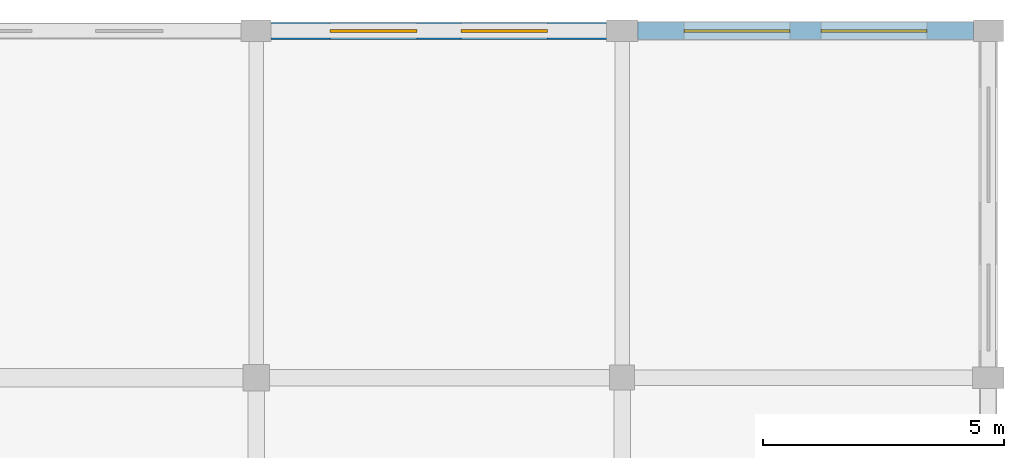
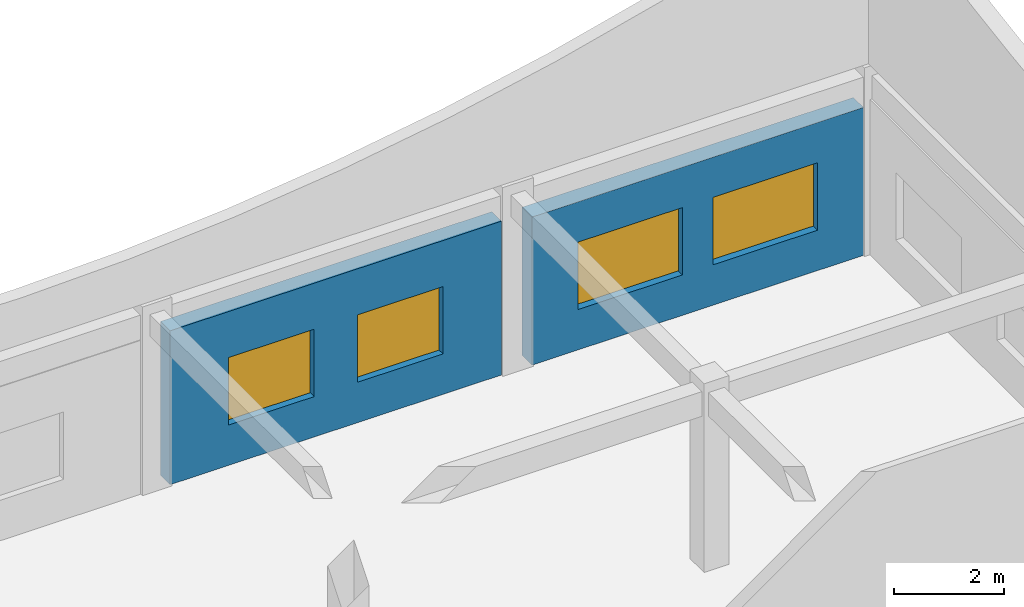
# One storey, part 9 of 10: 4 windows, 2 walls, 4 openings.
"""IFC4 building model written with IfcOpenShell, lengths in metres."""

import ifcopenshell
import ifcopenshell.guid

model = None  # the IFC model being written
_history = None  # IfcOwnerHistory: only IFC2X3 demands one
_inside = {}  # id of a spatial element -> (the spatial element, [elements in it])
_under = {}  # id of a project, library or spatial element -> (it, [spatial elements below it])
_declared = {}  # id of a project -> (the project, [libraries it declares])
_typed = {}  # id of a type object -> (the type object, [elements of that type])
_made_of = {}  # id of a material, layer set ... -> (it, [elements and type objects made of it])


def new_model(schema):
    """Start an empty IFC model of exactly this schema.

    Asked for "IFC4X3", IfcOpenShell would pick the latest addendum, in which some entities
    have other attributes; the version numbers below select the first issue.
    IFC2X3 requires an IfcOwnerHistory on every rooted entity: one is made here for all.
    """
    global model, _history
    if schema == "IFC4X3":
        model = ifcopenshell.file(schema_version=(4, 3, 0, 0))
    else:
        model = ifcopenshell.file(schema=schema)
    _inside.clear()
    _under.clear()
    _declared.clear()
    _typed.clear()
    _made_of.clear()
    _history = None
    if model.schema == "IFC2X3":
        org = make("IfcOrganization", Name="unknown")
        user = make(
            "IfcPersonAndOrganization",
            ThePerson=make("IfcPerson", FamilyName="unknown"),
            TheOrganization=org,
        )
        app = make(
            "IfcApplication",
            ApplicationDeveloper=org,
            Version="unknown",
            ApplicationFullName="unknown",
            ApplicationIdentifier="unknown",
        )
        _history = make(
            "IfcOwnerHistory",
            OwningUser=user,
            OwningApplication=app,
            ChangeAction="ADDED",
            CreationDate=0,
        )
    return model


def make(cls, **values):
    """One entity of the class cls with the attributes given. An attribute that is None is left unset."""
    return model.create_entity(
        cls, **{name: value for name, value in values.items() if value is not None}
    )


def rooted(cls, **values):
    """An entity with a GlobalId (a new one), such as an element, a storey or a relation."""
    return make(cls, GlobalId=ifcopenshell.guid.new(), OwnerHistory=_history, **values)


def si_unit(unit_type, name, prefix=None):
    """IfcSIUnit, for example si_unit("LENGTHUNIT", "METRE", prefix="MILLI")."""
    return make("IfcSIUnit", UnitType=unit_type, Prefix=prefix, Name=name)


def assignment(units):
    """IfcUnitAssignment: the units of a project."""
    return None if units is None else make("IfcUnitAssignment", Units=units)


def point(xyz):
    """IfcCartesianPoint."""
    return None if xyz is None else make("IfcCartesianPoint", Coordinates=xyz)


def direction(xyz):
    """IfcDirection."""
    return None if xyz is None else make("IfcDirection", DirectionRatios=xyz)


def frame(location, z_axis=None, x_axis=None):
    """IfcAxis2Placement3D, a coordinate frame: its origin and axes. An axis left out is left unset."""
    return make(
        "IfcAxis2Placement3D",
        Location=point(location),
        Axis=direction(z_axis),
        RefDirection=direction(x_axis),
    )


def frame_2d(location, x_axis=None):
    """IfcAxis2Placement2D, a coordinate frame in the plane: its origin and x axis."""
    return make(
        "IfcAxis2Placement2D", Location=point(location), RefDirection=direction(x_axis)
    )


def origin():
    """The frame at (0, 0, 0) with its axes left unset."""
    return frame((0.0, 0.0, 0.0))


def place(relative_to, where):
    """IfcLocalPlacement: puts the frame where relative to a parent placement (None: the world)."""
    return make(
        "IfcLocalPlacement", PlacementRelTo=relative_to, RelativePlacement=where
    )


def context(
    kind, dimensions, precision=None, world=None, true_north=None, identifier=None
):
    """IfcGeometricRepresentationContext, for example the 3D "Model" context."""
    return make(
        "IfcGeometricRepresentationContext",
        ContextIdentifier=identifier,
        ContextType=kind,
        CoordinateSpaceDimension=dimensions,
        Precision=precision,
        WorldCoordinateSystem=world,
        TrueNorth=true_north,
    )


def subcontext(parent, identifier, kind, view, scale=None):
    """IfcGeometricRepresentationSubContext, for example "Body" below "Model"."""
    return make(
        "IfcGeometricRepresentationSubContext",
        ContextIdentifier=identifier,
        ContextType=kind,
        ParentContext=parent,
        TargetScale=scale,
        TargetView=view,
    )


def project(units=None, contexts=None):
    """IfcProject with its units and contexts."""
    return rooted(
        "IfcProject",
        Name="project",
        RepresentationContexts=contexts,
        UnitsInContext=assignment(units),
    )


def spatial(cls, under=None, at=None, **own):
    """A site, building, storey or space (cls), placed at a placement, below another one or the project."""
    s = rooted(cls, ObjectPlacement=at, **own)
    if under is not None:
        _under.setdefault(under.id(), (under, []))[1].append(s)
    return s


def profile(cls, at=None, kind="AREA", **sizes):
    """A parametric profile (cls). Its sizes go by their IFC names, for example OverallWidth=200.0."""
    return make(cls, ProfileType=kind, Position=at, **sizes)


def rectangle(**sizes):
    """IfcRectangleProfileDef."""
    return profile("IfcRectangleProfileDef", **sizes)


def extrude(swept, where, along, depth):
    """IfcExtrudedAreaSolid: the profile swept, set in the frame where, extruded along a direction by depth."""
    return make(
        "IfcExtrudedAreaSolid",
        SweptArea=swept,
        Position=where,
        ExtrudedDirection=direction(along),
        Depth=depth,
    )


def shape(context_of_items, identifier, shape_type, items):
    """IfcShapeRepresentation: the items that make up one representation, for example the "Body"."""
    return make(
        "IfcShapeRepresentation",
        ContextOfItems=context_of_items,
        RepresentationIdentifier=identifier,
        RepresentationType=shape_type,
        Items=items,
    )


def material(Name=None, Category=None):
    """IfcMaterial."""
    return make("IfcMaterial", Name=Name, Category=Category)


def layer(
    of_material, thickness, ventilated=None, Name=None, Category=None, Priority=None
):
    """IfcMaterialLayer: one layer of a wall or slab, of a material (None: an air gap)."""
    return make(
        "IfcMaterialLayer",
        Material=of_material,
        LayerThickness=thickness,
        IsVentilated=ventilated,
        Name=Name,
        Category=Category,
        Priority=Priority,
    )


def layer_set(layers, Name=None):
    """IfcMaterialLayerSet."""
    return make("IfcMaterialLayerSet", MaterialLayers=layers, LayerSetName=Name)


def made_of(thing, what):
    """Note that an element or type object is made of a material, layer set ...; save() writes the relation."""
    if what is not None:
        _made_of.setdefault(what.id(), (what, []))[1].append(thing)
    return thing


def type_object(cls, material=None, **own):
    """A type object (cls), such as IfcWallType, which elements share."""
    return made_of(rooted(cls, **own), material)


def element(
    cls,
    number,
    at=None,
    inside=None,
    cuts=None,
    type_object=None,
    material=None,
    context=None,
    identifier="Body",
    shape_type=None,
    held_by="IfcProductDefinitionShape",
    body=None,
    shapes=None,
    **own,
):
    """One element of the class cls, such as IfcWall. Its Tag is "e" and its number.

    at: its placement. inside: the storey or other place that contains it. cuts: it is an
    opening in that element (IfcRelVoidsElement). A single representation is given by context,
    identifier, shape_type and body (its items); several are given by shapes. held_by: the class
    of the entity that holds the representations. save() writes the other relations.
    """
    e = rooted(cls, Tag="e%d" % number, ObjectPlacement=at, **own)
    if body is not None:
        shapes = [shape(context, identifier, shape_type, body)]
    if shapes is not None:
        e.Representation = make(held_by, Representations=shapes)
    if inside is not None:
        _inside.setdefault(inside.id(), (inside, []))[1].append(e)
    if cuts is not None:
        rooted(
            "IfcRelVoidsElement", RelatingBuildingElement=cuts, RelatedOpeningElement=e
        )
    if type_object is not None:
        _typed.setdefault(type_object.id(), (type_object, []))[1].append(e)
    return made_of(e, material)


def fill(opening, filler):
    """IfcRelFillsElement: the door or window that sits in an opening."""
    return rooted(
        "IfcRelFillsElement",
        RelatingOpeningElement=opening,
        RelatedBuildingElement=filler,
    )


def aggregate(whole, parts):
    """IfcRelAggregates: a whole, such as a stair, and the parts it consists of."""
    return rooted("IfcRelAggregates", RelatingObject=whole, RelatedObjects=parts)


def save(model, path):
    """Write the relations noted so far, then the file.

    IfcRelAggregates (storeys below a building ...), IfcRelContainedInSpatialStructure (elements
    in a storey), IfcRelDefinesByType, IfcRelAssociatesMaterial and IfcRelDeclares: one each for
    every whole, place, type object, material and project.
    """
    for whole, parts in _under.values():
        aggregate(whole, parts)
    for where, things in _inside.values():
        rooted(
            "IfcRelContainedInSpatialStructure",
            RelatedElements=things,
            RelatingStructure=where,
        )
    for kind, things in _typed.values():
        rooted("IfcRelDefinesByType", RelatedObjects=things, RelatingType=kind)
    for what, things in _made_of.values():
        rooted("IfcRelAssociatesMaterial", RelatedObjects=things, RelatingMaterial=what)
    for by, libraries in _declared.values():
        rooted("IfcRelDeclares", RelatingContext=by, RelatedDefinitions=libraries)
    model.write(path)


model = new_model("IFC4")

# Units and contexts
model_context = context("Model", 3, precision=1e-05, world=origin(), true_north=direction((0.0, 1.0)))
body_context = subcontext(model_context, "Body", "Model", "MODEL_VIEW")
ifc_project = project(units=[si_unit("LENGTHUNIT", "METRE"), si_unit("AREAUNIT", "SQUARE_METRE"), si_unit("VOLUMEUNIT", "CUBIC_METRE"), si_unit("PLANEANGLEUNIT", "RADIAN"), si_unit("MASSUNIT", "GRAM", prefix="KILO")], contexts=[model_context])

# Site, building, storey
site_placement = place(None, origin())
site = spatial("IfcSite", under=ifc_project, at=site_placement, CompositionType="ELEMENT")
building_placement = place(site_placement, origin())
building = spatial("IfcBuilding", under=site, at=building_placement, Name="Kharva Crest Polytechnic", CompositionType="ELEMENT")
storey_placement = place(building_placement, frame((0.0, 0.0, 25.800048828125)))
storey = spatial("IfcBuildingStorey", under=building, at=storey_placement, Name="L06", CompositionType="ELEMENT", Elevation=25.800048828125)

# Wall, openings, windows
ifc_material_1 = material(Name="Kiln brick masonry", Category="masonry")
ifc_layer_1 = layer(ifc_material_1, 0.35009765625, Name="Kiln brick masonry")
ifc_layer_set_1 = layer_set([ifc_layer_1], Name="Kiln brick masonry")
wall_type_1 = type_object("IfcWallType", Name="WL-EXT-BRK-350", PredefinedType="SOLIDWALL", material=ifc_layer_set_1)
wall_1_placement = place(storey_placement, frame((176.080078125, 122.0, 0.0), z_axis=(0.0, 0.0, 1.0), x_axis=(-1.0, 0.0, 0.0)))
wall_1 = element("IfcWall", 1, at=wall_1_placement, inside=storey, type_object=wall_type_1, Name="L06 Exterior Brick Wall 474", PredefinedType="SOLIDWALL", context=body_context, shape_type="SweptSolid", body=[
    extrude(rectangle(XDim=6.97509765625, YDim=0.35009765625, at=frame_2d((3.487548828125, 0.0))), origin(), (0.0, 0.0, 1.0), 3.425048828125),
])
opening_1_placement = place(wall_1_placement, frame((1.23193359375, 0.0, 0.89990234375)))
opening_1 = element("IfcOpeningElement", 2, at=opening_1_placement, cuts=wall_1, Name="Opening W13", PredefinedType="OPENING", context=body_context, shape_type="SweptSolid", body=[
    extrude(rectangle(XDim=1.800048828125, YDim=1.5, at=frame_2d((0.89990234375, 0.75))), frame((0.0, 0.18505859375, 0.0), z_axis=(0.0, -1.0, 0.0), x_axis=(1.0, 0.0, 0.0)), (0.0, 0.0, 1.0), 0.3701171875),
])
opening_2_placement = place(wall_1_placement, frame((3.943115234375, 0.0, 0.89990234375)))
opening_2 = element("IfcOpeningElement", 3, at=opening_2_placement, cuts=wall_1, Name="Opening W13", PredefinedType="OPENING", context=body_context, shape_type="SweptSolid", body=[
    extrude(rectangle(XDim=1.800048828125, YDim=1.5, at=frame_2d((0.89990234375, 0.75))), frame((0.0, 0.18505859375, 0.0), z_axis=(0.0, -1.0, 0.0), x_axis=(1.0, 0.0, 0.0)), (0.0, 0.0, 1.0), 0.3701171875),
])
ifc_material_2 = material(Name="Anodised aluminium", Category="aluminium")
window_type_1 = type_object("IfcWindowType", Name="WIN-ALU-1800X1500", PartitioningType="SINGLE_PANEL", PredefinedType="WINDOW", material=ifc_material_2)
window_1_placement = place(opening_1_placement, origin())
window_1 = element("IfcWindow", 4, at=window_1_placement, inside=storey, type_object=window_type_1, Name="L06 Exterior Window 678", OverallHeight=1.5, OverallWidth=1.800048828125, PartitioningType="SINGLE_PANEL", PredefinedType="WINDOW", context=body_context, shape_type="SweptSolid", body=[
    extrude(rectangle(XDim=1.800048828125, YDim=1.5, at=frame_2d((0.89990234375, 0.75))), frame((0.0, 0.030029296875, 0.0), z_axis=(0.0, -1.0, 0.0), x_axis=(1.0, 0.0, 0.0)), (0.0, 0.0, 1.0), 0.06005859375),
])
fill(opening_1, window_1)
window_2_placement = place(opening_2_placement, origin())
window_2 = element("IfcWindow", 5, at=window_2_placement, inside=storey, type_object=window_type_1, Name="L06 Exterior Window 679", OverallHeight=1.5, OverallWidth=1.800048828125, PartitioningType="SINGLE_PANEL", PredefinedType="WINDOW", context=body_context, shape_type="SweptSolid", body=[
    extrude(rectangle(XDim=1.800048828125, YDim=1.5, at=frame_2d((0.89990234375, 0.75))), frame((0.0, 0.030029296875, 0.0), z_axis=(0.0, -1.0, 0.0), x_axis=(1.0, 0.0, 0.0)), (0.0, 0.0, 1.0), 0.06005859375),
])
fill(opening_2, window_2)

ifc_layer_2 = layer(ifc_material_1, 0.364990234375, Name="Kiln brick masonry")
ifc_layer_set_2 = layer_set([ifc_layer_2], Name="Kiln brick masonry")
wall_type_2 = type_object("IfcWallType", Name="WL-EXT-BRK-365", PredefinedType="SOLIDWALL", material=ifc_layer_set_2)
wall_2_placement = place(storey_placement, frame((183.695068359375, 122.0, 0.0), z_axis=(0.0, 0.0, 1.0), x_axis=(-1.0, 0.0, 0.0)))
wall_2 = element("IfcWall", 6, at=wall_2_placement, inside=storey, type_object=wall_type_2, Name="L06 Exterior Brick Wall 473", PredefinedType="SOLIDWALL", context=body_context, shape_type="SweptSolid", body=[
    extrude(rectangle(XDim=6.97509765625, YDim=0.364990234375, at=frame_2d((3.487548828125, 0.0))), origin(), (0.0, 0.0, 1.0), 3.294921875),
])
opening_3_placement = place(wall_2_placement, frame((0.965087890625, 0.0, 0.89990234375)))
opening_3 = element("IfcOpeningElement", 7, at=opening_3_placement, cuts=wall_2, Name="Opening W11", PredefinedType="OPENING", context=body_context, shape_type="SweptSolid", body=[
    extrude(rectangle(XDim=2.199951171875, YDim=1.5, at=frame_2d((1.10009765625, 0.75))), frame((0.0, 0.1923828125, 0.0), z_axis=(0.0, -1.0, 0.0), x_axis=(1.0, 0.0, 0.0)), (0.0, 0.0, 1.0), 0.385009765625),
])
opening_4_placement = place(wall_2_placement, frame((3.81005859375, 0.0, 0.89990234375)))
opening_4 = element("IfcOpeningElement", 8, at=opening_4_placement, cuts=wall_2, Name="Opening W11", PredefinedType="OPENING", context=body_context, shape_type="SweptSolid", body=[
    extrude(rectangle(XDim=2.199951171875, YDim=1.5, at=frame_2d((1.10009765625, 0.75))), frame((0.0, 0.1923828125, 0.0), z_axis=(0.0, -1.0, 0.0), x_axis=(1.0, 0.0, 0.0)), (0.0, 0.0, 1.0), 0.385009765625),
])
window_type_2 = type_object("IfcWindowType", Name="WIN-ALU-2200X1500", PartitioningType="SINGLE_PANEL", PredefinedType="WINDOW", material=ifc_material_2)
window_3_placement = place(opening_3_placement, origin())
window_3 = element("IfcWindow", 9, at=window_3_placement, inside=storey, type_object=window_type_2, Name="L06 Exterior Window 676", OverallHeight=1.5, OverallWidth=2.199951171875, PartitioningType="SINGLE_PANEL", PredefinedType="WINDOW", context=body_context, shape_type="SweptSolid", body=[
    extrude(rectangle(XDim=2.199951171875, YDim=1.5, at=frame_2d((1.10009765625, 0.75))), frame((0.0, 0.030029296875, 0.0), z_axis=(0.0, -1.0, 0.0), x_axis=(1.0, 0.0, 0.0)), (0.0, 0.0, 1.0), 0.06005859375),
])
fill(opening_3, window_3)
window_4_placement = place(opening_4_placement, origin())
window_4 = element("IfcWindow", 10, at=window_4_placement, inside=storey, type_object=window_type_2, Name="L06 Exterior Window 677", OverallHeight=1.5, OverallWidth=2.199951171875, PartitioningType="SINGLE_PANEL", PredefinedType="WINDOW", context=body_context, shape_type="SweptSolid", body=[
    extrude(rectangle(XDim=2.199951171875, YDim=1.5, at=frame_2d((1.10009765625, 0.75))), frame((0.0, 0.030029296875, 0.0), z_axis=(0.0, -1.0, 0.0), x_axis=(1.0, 0.0, 0.0)), (0.0, 0.0, 1.0), 0.06005859375),
])
fill(opening_4, window_4)

save(model, "model.ifc")
